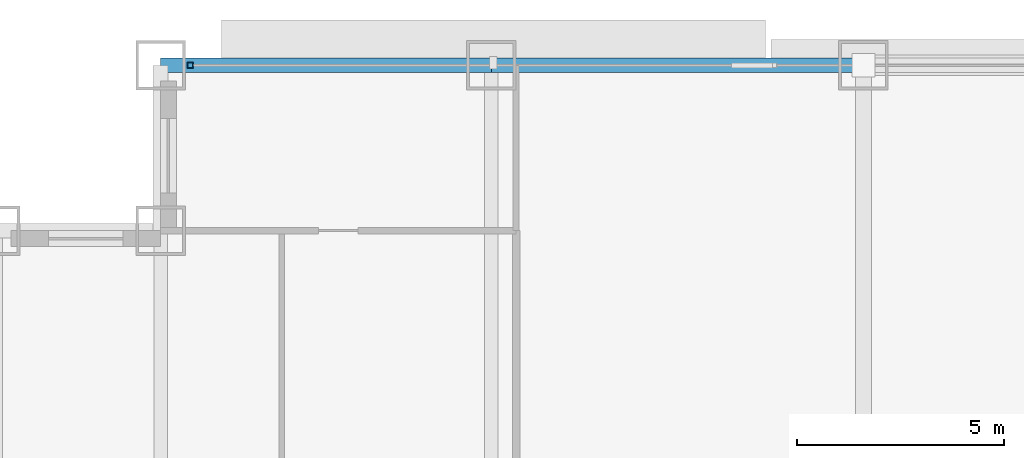
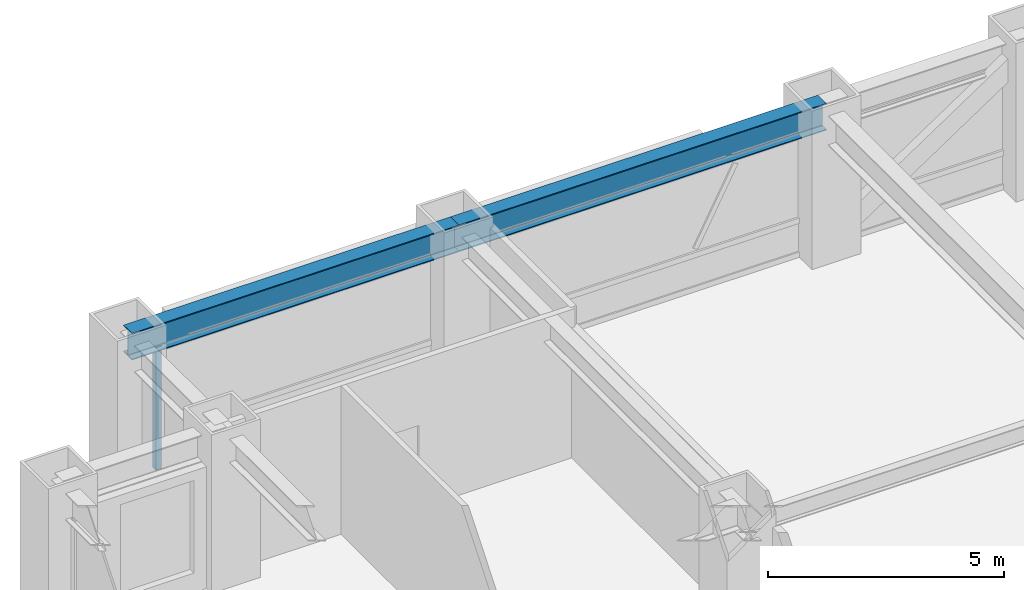
# One storey, part 17 of 32: 2 beams, 1 member, 1 element without a shape of its own.
"""IFC4 building model written with IfcOpenShell, lengths in metres."""

from ifc_helpers import new_model, si_unit, direction, frame, origin, origin_2d, place, context, subcontext, project, spatial, hollow_rectangle, i_section, extrude, source, transform, mapped, material, material_profile, profile_set, type_object, element, aggregate, save


model = new_model("IFC4")

# Units and contexts
model_context = context("Model", 3, precision=1e-05, world=origin(), true_north=direction((0.0, 1.0)))
body_context = subcontext(model_context, "Body", "Model", "MODEL_VIEW")
ifc_project = project(units=[si_unit("LENGTHUNIT", "METRE"), si_unit("AREAUNIT", "SQUARE_METRE"), si_unit("VOLUMEUNIT", "CUBIC_METRE"), si_unit("PLANEANGLEUNIT", "RADIAN"), si_unit("MASSUNIT", "GRAM", prefix="KILO")], contexts=[model_context])

# Site, building, storey
site_placement = place(None, origin())
site = spatial("IfcSite", under=ifc_project, at=site_placement, CompositionType="ELEMENT")
building_placement = place(site_placement, origin())
building = spatial("IfcBuilding", under=site, at=building_placement, Name="Khorayat Bourse Tower", CompositionType="ELEMENT")
storey_placement = place(building_placement, frame((0.0, 0.0, 128.300048828125)))
storey = spatial("IfcBuildingStorey", under=building, at=storey_placement, Name="L29", CompositionType="ELEMENT", Elevation=128.300048828125)

# Beams
ifc_material_1 = material(Name="Steel ASTM A992 Grade 50", Category="steel")
ifc_material_profile_1 = material_profile(ifc_material_1, i_section(OverallWidth=0.35498046875, OverallDepth=0.695068359375, WebThickness=0.015380859375, FlangeThickness=0.02490234375, FilletRadius=0.01806640625, at=origin_2d()), Name="W690X217")
ifc_profile_set_1 = profile_set([ifc_material_profile_1], Name="Steel ASTM A992 Grade 50")
beam_type = type_object("IfcBeamType", Name="BM-SPAN-690", PredefinedType="SPANDREL", material=ifc_profile_set_1)
shared_shape_1 = source(origin(), body_context, "Body", "SweptSolid", [
    extrude(i_section(OverallWidth=0.35498046875, OverallDepth=0.695068359375, WebThickness=0.015380859375, FlangeThickness=0.02490234375, FilletRadius=0.01806640625, at=origin_2d()), origin(), (0.0, 0.0, 1.0), 9.0),
])
beam_1_placement = place(storey_placement, frame((-20.0, 32.0, 3.492431640625), z_axis=(1.0, 0.0, 0.0), x_axis=(0.0, 1.0, 0.0)))
element("IfcBeam", 1, at=beam_1_placement, inside=storey, type_object=beam_type, Name="L29 BM-SPAN-690 BM-L29-SPN-050", PredefinedType="SPANDREL", context=body_context, shape_type="MappedRepresentation", body=[
    mapped(shared_shape_1, transform((0.0, 0.0, 0.0), scale=1.0)),
])
shared_shape_2 = source(origin(), body_context, "Body", "SweptSolid", [
    extrude(i_section(OverallWidth=0.35498046875, OverallDepth=0.695068359375, WebThickness=0.015380859375, FlangeThickness=0.02490234375, FilletRadius=0.01806640625, at=origin_2d()), origin(), (0.0, 0.0, 1.0), 8.0),
])
beam_2_placement = place(storey_placement, frame((-28.0, 32.0, 3.492431640625), z_axis=(1.0, 0.0, 0.0), x_axis=(0.0, 1.0, 0.0)))
element("IfcBeam", 2, at=beam_2_placement, inside=storey, type_object=beam_type, Name="L29 BM-SPAN-690 BM-L29-SPN-051", PredefinedType="SPANDREL", context=body_context, shape_type="MappedRepresentation", body=[
    mapped(shared_shape_2, transform((0.0, 0.0, 0.0), scale=1.0)),
])

# Curtain wall, member
ifc_material_2 = material(Name="Aluminium EN AW-6063 T6", Category="aluminium")
curtain_wall_type = type_object("IfcCurtainWallType", Name="CW-SYS-02", PredefinedType="NOTDEFINED", material=ifc_material_2)
curtain_wall_placement = place(storey_placement, origin())
curtain_wall = element("IfcCurtainWall", 3, at=curtain_wall_placement, inside=storey, type_object=curtain_wall_type, Name="L29 Curtain Wall CW-L29-N1", PredefinedType="NOTDEFINED")
ifc_material_profile_2 = material_profile(ifc_material_2, hollow_rectangle(XDim=0.139892578125, YDim=0.139892578125, WallThickness=0.006103515625, at=origin_2d()), Name="ALU 140x140x6")
ifc_profile_set_2 = profile_set([ifc_material_profile_2], Name="Aluminium EN AW-6063 T6")
member_type = type_object("IfcMemberType", Name="CWM-VERT-140", PredefinedType="MULLION", material=ifc_profile_set_2)
shared_shape_3 = source(origin(), body_context, "Body", "SweptSolid", [
    extrude(hollow_rectangle(XDim=0.139892578125, YDim=0.139892578125, WallThickness=0.006103515625, at=origin_2d()), origin(), (0.0, 0.0, 1.0), 3.18994140625),
])
member_placement = place(storey_placement, frame((-27.280029296875, 32.0, 0.0), z_axis=(0.0, 0.0, 1.0), x_axis=(0.0, 1.0, 0.0)))
member = element("IfcMember", 4, at=member_placement, type_object=member_type, Name="CW-L29-N1 Vertical Mullion 1", PredefinedType="MULLION", context=body_context, shape_type="MappedRepresentation", body=[
    mapped(shared_shape_3, transform((0.0, 0.0, 0.0), scale=1.0)),
])
aggregate(curtain_wall, [member])

save(model, "model.ifc")
